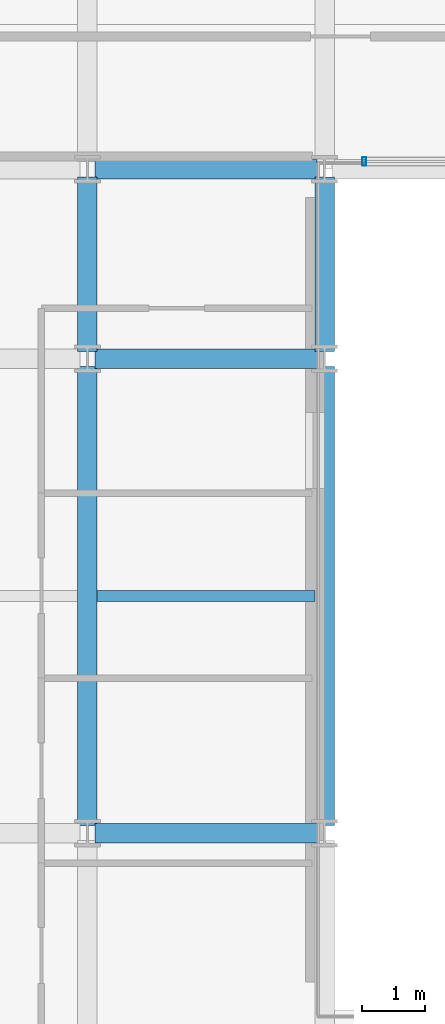
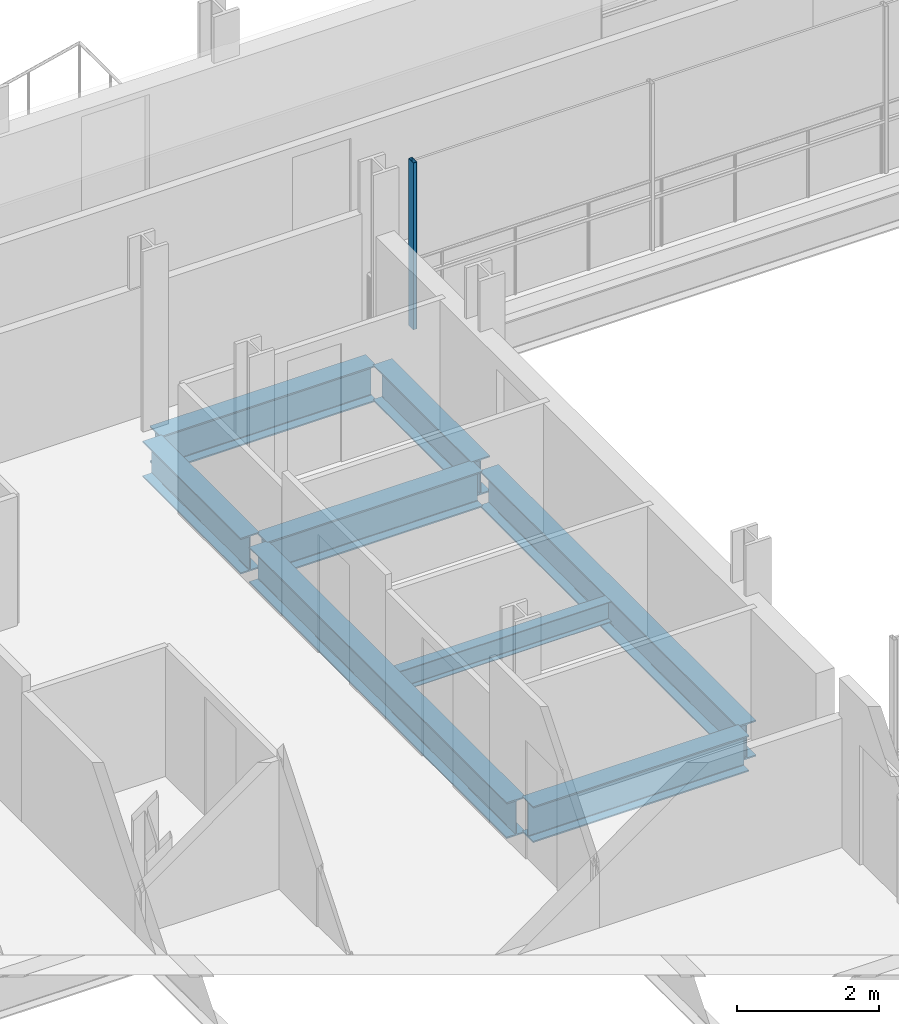
# One storey, part 8 of 38: 8 beams, 1 member, 1 element without a shape of its own.
"""IFC4 building model written with IfcOpenShell, lengths in metres."""

from ifc_helpers import new_model, si_unit, direction, frame, origin, origin_2d, place, context, subcontext, project, spatial, hollow_rectangle, i_section, extrude, material, layer, layer_set, material_profile, profile_set, type_object, element, aggregate, save


model = new_model("IFC4")

# Units and contexts
model_context = context("Model", 3, precision=1e-05, world=origin(), true_north=direction((0.0, 1.0)))
body_context = subcontext(model_context, "Body", "Model", "MODEL_VIEW")
ifc_project = project(units=[si_unit("LENGTHUNIT", "METRE"), si_unit("AREAUNIT", "SQUARE_METRE"), si_unit("VOLUMEUNIT", "CUBIC_METRE"), si_unit("PLANEANGLEUNIT", "RADIAN"), si_unit("MASSUNIT", "GRAM", prefix="KILO")], contexts=[model_context])

# Site, building, storey
site_placement = place(None, origin())
site = spatial("IfcSite", under=ifc_project, at=site_placement, CompositionType="ELEMENT")
building_placement = place(site_placement, origin())
building = spatial("IfcBuilding", under=site, at=building_placement, Name="Brevholm Reach", CompositionType="ELEMENT")
storey_placement = place(building_placement, frame((0.0, 0.0, 71.39990234375)))
storey = spatial("IfcBuildingStorey", under=building, at=storey_placement, Name="L20", CompositionType="ELEMENT", Elevation=71.39990234375)

# Beams
ifc_material_1 = material(Name="Structural Steel S355J2", Category="steel")
ifc_material_profile_1 = material_profile(ifc_material_1, i_section(OverallWidth=0.17138671875, OverallDepth=0.35498046875, WebThickness=0.00732421875, FlangeThickness=0.011474609375, FilletRadius=0.01025390625, at=origin_2d()), Name="UKB 356x171x51")
ifc_profile_set_1 = profile_set([ifc_material_profile_1], Name="Structural Steel S355J2")
beam_type_1 = type_object("IfcBeamType", Name="BM-B356", PredefinedType="BEAM", material=ifc_profile_set_1)
beam_1_placement = place(storey_placement, frame((18.153564453125, 19.75, -0.407470703125), z_axis=(1.0, 0.0, 0.0), x_axis=(0.0, 1.0, 0.0)))
element("IfcBeam", 1, at=beam_1_placement, inside=storey, type_object=beam_type_1, Name="L20 Composite Secondary Floor Beam", PredefinedType="BEAM", context=body_context, shape_type="SweptSolid", body=[
    extrude(i_section(OverallWidth=0.17138671875, OverallDepth=0.35498046875, WebThickness=0.00732421875, FlangeThickness=0.011474609375, FilletRadius=0.01025390625, at=origin_2d()), origin(), (0.0, 0.0, 1.0), 3.44287109375),
])
ifc_material_2 = material(Name="Structural Steel S355J2", Category="steel")
ifc_material_profile_2 = material_profile(ifc_material_2, i_section(OverallWidth=0.30712890625, OverallDepth=0.6201171875, WebThickness=0.01416015625, FlangeThickness=0.023681640625, FilletRadius=0.0166015625, at=origin_2d()), Name="UKB 610x305x179")
ifc_profile_set_2 = profile_set([ifc_material_profile_2], Name="Structural Steel S355J2")
beam_type_2 = type_object("IfcBeamType", Name="BM-UKB610H", PredefinedType="USERDEFINED", material=ifc_profile_set_2)
for number, where, z_axis, x_axis, name in (
    (2, (18.1201171875, 16.0, -0.5400390625), (1.0, 0.0, 0.0), (0.0, 1.0, 0.0), "L20 G-06 Framing Beam"),
    (3, (18.1201171875, 23.5, -0.5400390625), (1.0, 0.0, 0.0), (0.0, 1.0, 0.0), "L20 G-06 Framing Beam"),
    (4, (18.1201171875, 26.5, -0.5400390625), (1.0, 0.0, 0.0), (0.0, 1.0, 0.0), "L20 G-06 Framing Beam"),
):
    element("IfcBeam", number, at=place(storey_placement, frame(where, z_axis=z_axis, x_axis=x_axis)), inside=storey, type_object=beam_type_2, Name=name, ObjectType="GIRDER", PredefinedType="USERDEFINED", context=body_context, shape_type="SweptSolid", body=[
        extrude(i_section(OverallWidth=0.30712890625, OverallDepth=0.6201171875, WebThickness=0.01416015625, FlangeThickness=0.023681640625, FilletRadius=0.0166015625, at=origin_2d()), origin(), (0.0, 0.0, 1.0), 3.509765625),
    ])
beam_2_placement = place(storey_placement, frame((18.0, 16.1201171875, -0.5400390625), z_axis=(0.0, 1.0, 0.0), x_axis=(-1.0, 0.0, 0.0)))
element("IfcBeam", 5, at=beam_2_placement, inside=storey, type_object=beam_type_2, Name="L20 G-06 Framing Beam", ObjectType="GIRDER", PredefinedType="USERDEFINED", context=body_context, shape_type="SweptSolid", body=[
    extrude(i_section(OverallWidth=0.30712890625, OverallDepth=0.6201171875, WebThickness=0.01416015625, FlangeThickness=0.023681640625, FilletRadius=0.0166015625, at=origin_2d()), origin(), (0.0, 0.0, 1.0), 7.259765625),
])
beam_3_placement = place(storey_placement, frame((18.0, 23.6201171875, -0.5400390625), z_axis=(0.0, 1.0, 0.0), x_axis=(-1.0, 0.0, 0.0)))
element("IfcBeam", 6, at=beam_3_placement, inside=storey, type_object=beam_type_2, Name="L20 G-06 Framing Beam", ObjectType="GIRDER", PredefinedType="USERDEFINED", context=body_context, shape_type="SweptSolid", body=[
    extrude(i_section(OverallWidth=0.30712890625, OverallDepth=0.6201171875, WebThickness=0.01416015625, FlangeThickness=0.023681640625, FilletRadius=0.0166015625, at=origin_2d()), origin(), (0.0, 0.0, 1.0), 2.759765625),
])
beam_4_placement = place(storey_placement, frame((21.75, 16.1201171875, -0.5400390625), z_axis=(0.0, 1.0, 0.0), x_axis=(-1.0, 0.0, 0.0)))
element("IfcBeam", 7, at=beam_4_placement, inside=storey, type_object=beam_type_2, Name="L20 G-06 Framing Beam", ObjectType="GIRDER", PredefinedType="USERDEFINED", context=body_context, shape_type="SweptSolid", body=[
    extrude(i_section(OverallWidth=0.30712890625, OverallDepth=0.6201171875, WebThickness=0.01416015625, FlangeThickness=0.023681640625, FilletRadius=0.0166015625, at=origin_2d()), origin(), (0.0, 0.0, 1.0), 7.259765625),
])
beam_5_placement = place(storey_placement, frame((21.75, 23.6201171875, -0.5400390625), z_axis=(0.0, 1.0, 0.0), x_axis=(-1.0, 0.0, 0.0)))
element("IfcBeam", 8, at=beam_5_placement, inside=storey, type_object=beam_type_2, Name="L20 G-06 Framing Beam", ObjectType="GIRDER", PredefinedType="USERDEFINED", context=body_context, shape_type="SweptSolid", body=[
    extrude(i_section(OverallWidth=0.30712890625, OverallDepth=0.6201171875, WebThickness=0.01416015625, FlangeThickness=0.023681640625, FilletRadius=0.0166015625, at=origin_2d()), origin(), (0.0, 0.0, 1.0), 2.759765625),
])

# Curtain wall, member
ifc_material_3 = material(Name="Dark Anodised Aluminium 6063-T6 and Solar-Control Glass", Category="aluminium")
ifc_layer = layer(ifc_material_3, 0.139892578125)
ifc_layer_set = layer_set([ifc_layer], Name="Dark Anodised Aluminium 6063-T6 and Solar-Control Glass")
curtain_wall_type = type_object("IfcCurtainWallType", Name="CW-02", PredefinedType="NOTDEFINED", material=ifc_layer_set)
curtain_wall_placement = place(storey_placement, origin())
curtain_wall = element("IfcCurtainWall", 9, at=curtain_wall_placement, inside=storey, type_object=curtain_wall_type, Name="L20 Curtain Wall CW-02", PredefinedType="NOTDEFINED")
ifc_material_4 = material(Name="Dark Anodised Aluminium 6063-T6", Category="aluminium")
ifc_material_profile_3 = material_profile(ifc_material_4, hollow_rectangle(XDim=0.06005859375, YDim=0.139892578125, WallThickness=0.0048828125, InnerFilletRadius=0.0048828125, OuterFilletRadius=0.010009765625, at=origin_2d()), Name="RHS 140x60x5")
ifc_profile_set_3 = profile_set([ifc_material_profile_3], Name="Dark Anodised Aluminium 6063-T6")
member_type = type_object("IfcMemberType", Name="CWM-140", PredefinedType="MULLION", material=ifc_profile_set_3)
member_placement = place(storey_placement, frame((22.3798828125, 26.6201171875, 0.0), z_axis=(0.0, 0.0, 1.0), x_axis=(-1.0, 0.0, 0.0)))
member = element("IfcMember", 10, at=member_placement, type_object=member_type, Name="CM-140 Mullion 5", PredefinedType="MULLION", context=body_context, shape_type="SweptSolid", body=[
    extrude(hollow_rectangle(XDim=0.06005859375, YDim=0.139892578125, WallThickness=0.0048828125, InnerFilletRadius=0.0048828125, OuterFilletRadius=0.010009765625, at=origin_2d()), origin(), (0.0, 0.0, 1.0), 2.8701171875),
])
aggregate(curtain_wall, [member])

save(model, "model.ifc")
